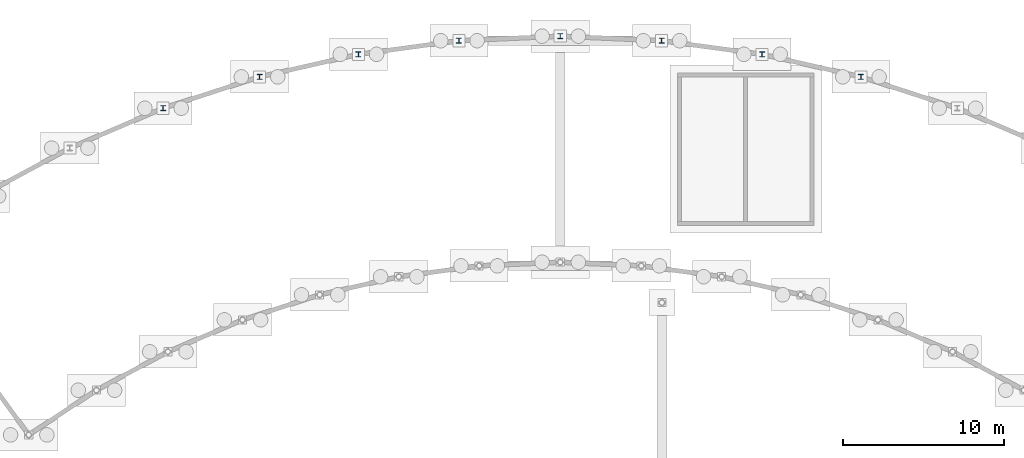
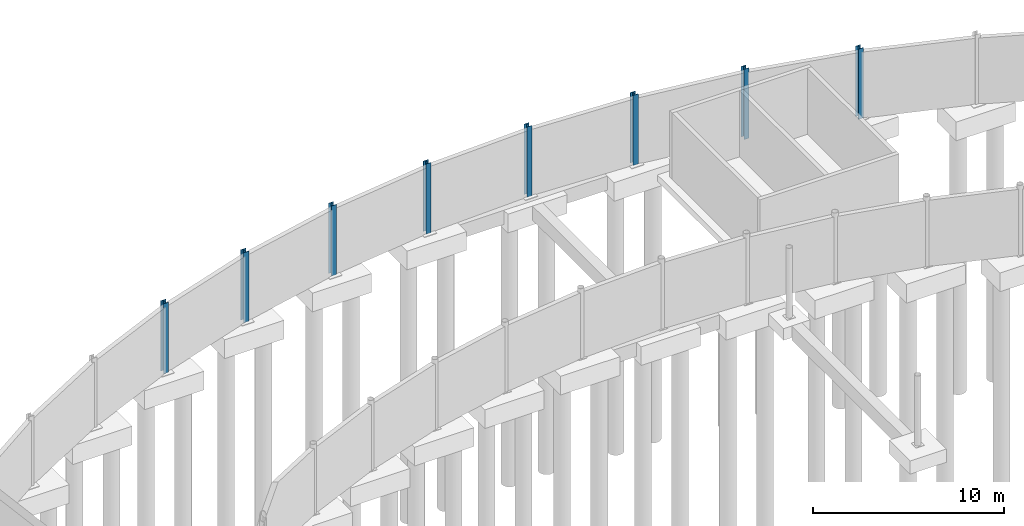
# One storey, part 19 of 41: 8 columns.
"""IFC4 building model written with IfcOpenShell, lengths in metres."""

from ifc_helpers import new_model, si_unit, direction, frame, origin, origin_2d, place, context, subcontext, project, spatial, i_section, extrude, material, material_profile, profile_set, type_object, element, save


model = new_model("IFC4")

# Units and contexts
model_context = context("Model", 3, precision=1e-05, world=origin(), true_north=direction((0.0, 1.0)))
body_context = subcontext(model_context, "Body", "Model", "MODEL_VIEW")
ifc_project = project(units=[si_unit("LENGTHUNIT", "METRE"), si_unit("AREAUNIT", "SQUARE_METRE"), si_unit("VOLUMEUNIT", "CUBIC_METRE"), si_unit("PLANEANGLEUNIT", "RADIAN"), si_unit("MASSUNIT", "GRAM", prefix="KILO")], contexts=[model_context])

# Site, building, storey
site_placement = place(None, origin())
site = spatial("IfcSite", under=ifc_project, at=site_placement, CompositionType="ELEMENT")
building_placement = place(site_placement, origin())
building = spatial("IfcBuilding", under=site, at=building_placement, Name="Selat Folded Stagehouse", CompositionType="ELEMENT")
storey_placement = place(building_placement, frame((0.0, 0.0, -4.5)))
storey = spatial("IfcBuildingStorey", under=building, at=storey_placement, Name="B1", CompositionType="ELEMENT", Elevation=-4.5)

# Columns
ifc_material = material(Name="Steel S355", Category="steel")
ifc_material_profile = material_profile(ifc_material, i_section(OverallWidth=0.30908203125, OverallDepth=0.320556640625, WebThickness=0.013916015625, FlangeThickness=0.021728515625, FilletRadius=0.01513671875, at=origin_2d()), Name="UKC 305x305x137")
ifc_profile_set = profile_set([ifc_material_profile], Name="Steel S355")
column_type = type_object("IfcColumnType", Name="COL-UKC-305x305x137", PredefinedType="COLUMN", material=ifc_profile_set)
for number, where, z_axis, x_axis, name in (
    (1, (67.8037109375, 103.536376953125, 0.0), (0.0, 0.0, 1.0), (1.0, 0.0, 0.0), "B1 column STK-V6OUT-03"),
    (2, (73.77734375, 105.477294921875, 0.0), (0.0, 0.0, 1.0), (1.0, 0.0, 0.0), "B1 column STK-V6OUT-04"),
    (3, (79.90087890625, 106.875, 0.0), (0.0, 0.0, 1.0), (1.0, 0.0, 0.0), "B1 column STK-V6OUT-05"),
    (4, (86.125244140625, 107.71826171875, 0.0), (0.0, 0.0, 1.0), (1.0, 0.0, 0.0), "B1 column STK-V6OUT-06"),
    (5, (92.39990234375, 108.0, 0.0), (0.0, 0.0, 1.0), (1.0, 0.0, 0.0), "B1 column STK-V6OUT-07"),
    (6, (98.6748046875, 107.71826171875, 0.0), (0.0, 0.0, 1.0), (1.0, 0.0, 0.0), "B1 column STK-V6OUT-08"),
    (7, (104.89892578125, 106.875, 0.0), (0.0, 0.0, 1.0), (1.0, 0.0, 0.0), "B1 column STK-V6OUT-09"),
    (8, (111.022705078125, 105.477294921875, 0.0), (0.0, 0.0, 1.0), (1.0, 0.0, 0.0), "B1 column STK-V6OUT-10"),
):
    element("IfcColumn", number, at=place(storey_placement, frame(where, z_axis=z_axis, x_axis=x_axis)), inside=storey, type_object=column_type, Name=name, PredefinedType="COLUMN", context=body_context, shape_type="SweptSolid", body=[
        extrude(i_section(OverallWidth=0.30908203125, OverallDepth=0.320556640625, WebThickness=0.013916015625, FlangeThickness=0.021728515625, FilletRadius=0.01513671875, at=origin_2d()), origin(), (0.0, 0.0, 1.0), 4.5),
    ])

save(model, "model.ifc")
